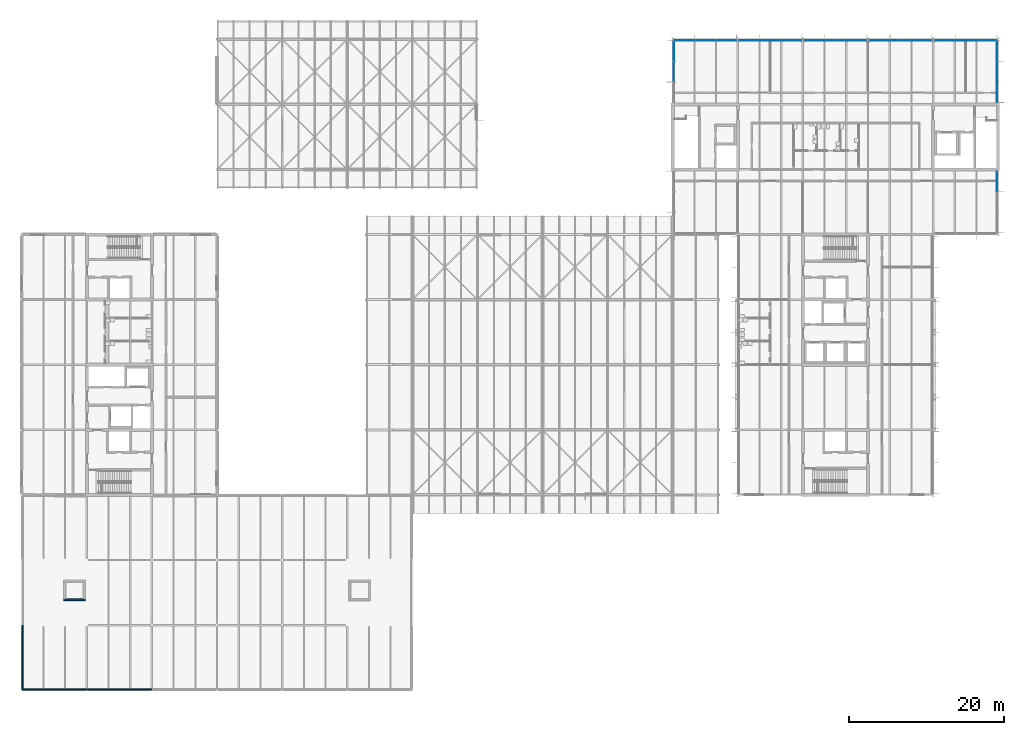
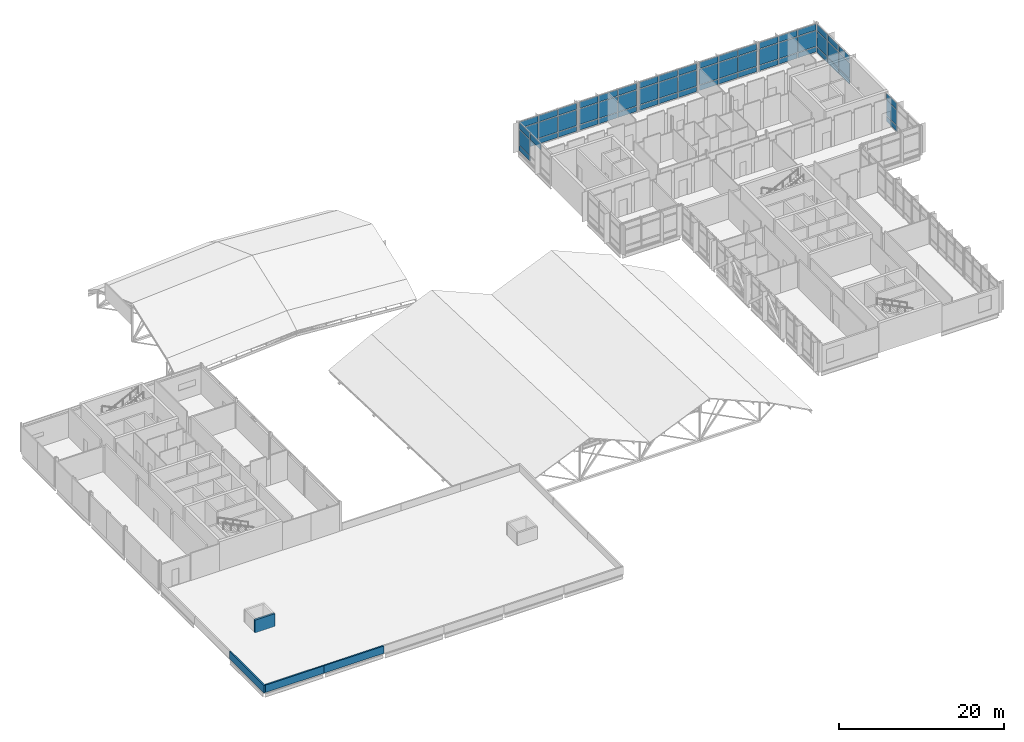
# One storey, part 30 of 76: 61 plates, 4 walls, 8 elements without a shape of their own.
"""IFC4 building model written with IfcOpenShell, lengths in metres."""

from ifc_helpers import new_model, si_unit, direction, frame, frame_2d, origin, origin_2d, place, context, subcontext, project, spatial, rectangle, extrude, material, layer, layer_set, type_object, element, aggregate, save


model = new_model("IFC4")

# Units and contexts
model_context = context("Model", 3, precision=1e-05, world=origin(), true_north=direction((0.0, 1.0)))
body_context = subcontext(model_context, "Body", "Model", "MODEL_VIEW")
ifc_project = project(units=[si_unit("LENGTHUNIT", "METRE"), si_unit("AREAUNIT", "SQUARE_METRE"), si_unit("VOLUMEUNIT", "CUBIC_METRE"), si_unit("PLANEANGLEUNIT", "RADIAN"), si_unit("MASSUNIT", "GRAM", prefix="KILO")], contexts=[model_context])

# Site, building, storey
site_placement = place(None, origin())
site = spatial("IfcSite", under=ifc_project, at=site_placement, CompositionType="ELEMENT")
building_placement = place(site_placement, origin())
building = spatial("IfcBuilding", under=site, at=building_placement, Name="Hlaing Beacon Police Headquarters", CompositionType="ELEMENT")
storey_placement = place(building_placement, frame((0.0, 0.0, 18.89990234375)))
storey = spatial("IfcBuildingStorey", under=building, at=storey_placement, Name="L04", CompositionType="ELEMENT", Elevation=18.89990234375)

# Curtain wall, plates
ifc_material_1 = material(Name="Aluminium frame with solar control glazing", Category="aluminium")
curtain_wall_type_1 = type_object("IfcCurtainWallType", Name="Structural glazed gable wall 8.12 x 4.37", PredefinedType="NOTDEFINED", material=ifc_material_1)
curtain_wall_1_placement = place(storey_placement, origin())
curtain_wall_1 = element("IfcCurtainWall", 1, at=curtain_wall_1_placement, inside=storey, type_object=curtain_wall_type_1, Name="ENV-CW-L04-N011", PredefinedType="NOTDEFINED")
ifc_material_2 = material(Name="Insulated aluminium spandrel", Category="aluminium")
ifc_layer_1 = layer(ifc_material_2, 0.0400390625)
ifc_layer_set_1 = layer_set([ifc_layer_1], Name="Insulated aluminium spandrel")
plate_type_1 = type_object("IfcPlateType", Name="Insulated spandrel panel 40", PredefinedType="CURTAIN_PANEL", material=ifc_layer_set_1)
plate_1_placement = place(storey_placement, frame((132.87646484375, 92.25, 0.10009765625), z_axis=(0.0, 0.0, 1.0), x_axis=(-1.0, 0.0, 0.0)))
plate_1 = element("IfcPlate", 2, at=plate_1_placement, type_object=plate_type_1, Name="CW-L04-N011 panel 1.1", PredefinedType="CURTAIN_PANEL", context=body_context, shape_type="SweptSolid", body=[
    extrude(rectangle(XDim=2.587158203125, YDim=0.0400390625, at=origin_2d()), origin(), (0.0, 0.0, 1.0), 0.75),
])
plate_2_placement = place(storey_placement, frame((130.189208984375, 92.25, 0.10009765625), z_axis=(0.0, 0.0, 1.0), x_axis=(-1.0, 0.0, 0.0)))
plate_2 = element("IfcPlate", 3, at=plate_2_placement, type_object=plate_type_1, Name="CW-L04-N011 panel 2.1", PredefinedType="CURTAIN_PANEL", context=body_context, shape_type="SweptSolid", body=[
    extrude(rectangle(XDim=2.627197265625, YDim=0.0400390625, at=origin_2d()), origin(), (0.0, 0.0, 1.0), 0.75),
])
plate_3_placement = place(storey_placement, frame((127.501953125, 92.25, 0.10009765625), z_axis=(0.0, 0.0, 1.0), x_axis=(-1.0, 0.0, 0.0)))
plate_3 = element("IfcPlate", 4, at=plate_3_placement, type_object=plate_type_1, Name="CW-L04-N011 panel 3.1", PredefinedType="CURTAIN_PANEL", context=body_context, shape_type="SweptSolid", body=[
    extrude(rectangle(XDim=2.587158203125, YDim=0.0400390625, at=origin_2d()), origin(), (0.0, 0.0, 1.0), 0.75),
])

ifc_material_3 = material(Name="Aluminium frame with solar control glazing", Category="aluminium")
curtain_wall_type_2 = type_object("IfcCurtainWallType", Name="Structural glazed gable wall 8.14 x 4.37", PredefinedType="NOTDEFINED", material=ifc_material_3)
curtain_wall_2_placement = place(storey_placement, origin())
curtain_wall_2 = element("IfcCurtainWall", 5, at=curtain_wall_2_placement, inside=storey, type_object=curtain_wall_type_2, Name="ENV-CW-L04-N012", PredefinedType="NOTDEFINED")
plate_4_placement = place(storey_placement, frame((124.494384765625, 92.25, 0.10009765625), z_axis=(0.0, 0.0, 1.0), x_axis=(-1.0, 0.0, 0.0)))
plate_4 = element("IfcPlate", 6, at=plate_4_placement, type_object=plate_type_1, Name="CW-L04-N012 panel 1.1", PredefinedType="CURTAIN_PANEL", context=body_context, shape_type="SweptSolid", body=[
    extrude(rectangle(XDim=2.594482421875, YDim=0.0400390625, at=origin_2d()), origin(), (0.0, 0.0, 1.0), 0.75),
])
plate_5_placement = place(storey_placement, frame((121.800048828125, 92.25, 0.10009765625), z_axis=(0.0, 0.0, 1.0), x_axis=(-1.0, 0.0, 0.0)))
plate_5 = element("IfcPlate", 7, at=plate_5_placement, type_object=plate_type_1, Name="CW-L04-N012 panel 2.1", PredefinedType="CURTAIN_PANEL", context=body_context, shape_type="SweptSolid", body=[
    extrude(rectangle(XDim=2.634521484375, YDim=0.0400390625, at=origin_2d()), origin(), (0.0, 0.0, 1.0), 0.75),
])
plate_6_placement = place(storey_placement, frame((119.10546875, 92.25, 0.10009765625), z_axis=(0.0, 0.0, 1.0), x_axis=(-1.0, 0.0, 0.0)))
plate_6 = element("IfcPlate", 8, at=plate_6_placement, type_object=plate_type_1, Name="CW-L04-N012 panel 3.1", PredefinedType="CURTAIN_PANEL", context=body_context, shape_type="SweptSolid", body=[
    extrude(rectangle(XDim=2.594482421875, YDim=0.0400390625, at=origin_2d()), origin(), (0.0, 0.0, 1.0), 0.75),
])

curtain_wall_3_placement = place(storey_placement, origin())
curtain_wall_3 = element("IfcCurtainWall", 9, at=curtain_wall_3_placement, inside=storey, type_object=curtain_wall_type_2, Name="ENV-CW-L04-N013", PredefinedType="NOTDEFINED")
plate_7_placement = place(storey_placement, frame((116.094482421875, 92.25, 0.10009765625), z_axis=(0.0, 0.0, 1.0), x_axis=(-1.0, 0.0, 0.0)))
plate_7 = element("IfcPlate", 10, at=plate_7_placement, type_object=plate_type_1, Name="CW-L04-N013 panel 1.1", PredefinedType="CURTAIN_PANEL", context=body_context, shape_type="SweptSolid", body=[
    extrude(rectangle(XDim=2.594482421875, YDim=0.0400390625, at=origin_2d()), origin(), (0.0, 0.0, 1.0), 0.75),
])
plate_8_placement = place(storey_placement, frame((113.39990234375, 92.25, 0.10009765625), z_axis=(0.0, 0.0, 1.0), x_axis=(-1.0, 0.0, 0.0)))
plate_8 = element("IfcPlate", 11, at=plate_8_placement, type_object=plate_type_1, Name="CW-L04-N013 panel 2.1", PredefinedType="CURTAIN_PANEL", context=body_context, shape_type="SweptSolid", body=[
    extrude(rectangle(XDim=2.634521484375, YDim=0.0400390625, at=origin_2d()), origin(), (0.0, 0.0, 1.0), 0.75),
])
plate_9_placement = place(storey_placement, frame((110.70556640625, 92.25, 0.10009765625), z_axis=(0.0, 0.0, 1.0), x_axis=(-1.0, 0.0, 0.0)))
plate_9 = element("IfcPlate", 12, at=plate_9_placement, type_object=plate_type_1, Name="CW-L04-N013 panel 3.1", PredefinedType="CURTAIN_PANEL", context=body_context, shape_type="SweptSolid", body=[
    extrude(rectangle(XDim=2.594482421875, YDim=0.0400390625, at=origin_2d()), origin(), (0.0, 0.0, 1.0), 0.75),
])

curtain_wall_4_placement = place(storey_placement, origin())
curtain_wall_4 = element("IfcCurtainWall", 13, at=curtain_wall_4_placement, inside=storey, type_object=curtain_wall_type_2, Name="ENV-CW-L04-N014", PredefinedType="NOTDEFINED")
plate_10_placement = place(storey_placement, frame((107.6943359375, 92.25, 0.10009765625), z_axis=(0.0, 0.0, 1.0), x_axis=(-1.0, 0.0, 0.0)))
plate_10 = element("IfcPlate", 14, at=plate_10_placement, type_object=plate_type_1, Name="CW-L04-N014 panel 1.1", PredefinedType="CURTAIN_PANEL", context=body_context, shape_type="SweptSolid", body=[
    extrude(rectangle(XDim=2.594970703125, YDim=0.0400390625, at=origin_2d()), origin(), (0.0, 0.0, 1.0), 0.75),
])
plate_11_placement = place(storey_placement, frame((104.999267578125, 92.25, 0.10009765625), z_axis=(0.0, 0.0, 1.0), x_axis=(-1.0, 0.0, 0.0)))
plate_11 = element("IfcPlate", 15, at=plate_11_placement, type_object=plate_type_1, Name="CW-L04-N014 panel 2.1", PredefinedType="CURTAIN_PANEL", context=body_context, shape_type="SweptSolid", body=[
    extrude(rectangle(XDim=2.635009765625, YDim=0.0400390625, at=origin_2d()), origin(), (0.0, 0.0, 1.0), 0.75),
])
plate_12_placement = place(storey_placement, frame((102.304443359375, 92.25, 0.10009765625), z_axis=(0.0, 0.0, 1.0), x_axis=(-1.0, 0.0, 0.0)))
plate_12 = element("IfcPlate", 16, at=plate_12_placement, type_object=plate_type_1, Name="CW-L04-N014 panel 3.1", PredefinedType="CURTAIN_PANEL", context=body_context, shape_type="SweptSolid", body=[
    extrude(rectangle(XDim=2.594970703125, YDim=0.0400390625, at=origin_2d()), origin(), (0.0, 0.0, 1.0), 0.75),
])

ifc_material_4 = material(Name="Aluminium frame with solar control glazing", Category="aluminium")
curtain_wall_type_3 = type_object("IfcCurtainWallType", Name="Structural glazed gable wall 8.15 x 4.37", PredefinedType="NOTDEFINED", material=ifc_material_4)
curtain_wall_5_placement = place(storey_placement, origin())
curtain_wall_5 = element("IfcCurtainWall", 17, at=curtain_wall_5_placement, inside=storey, type_object=curtain_wall_type_3, Name="ENV-CW-L04-N015", PredefinedType="NOTDEFINED")
plate_13_placement = place(storey_placement, frame((99.29541015625, 92.25, 0.10009765625), z_axis=(0.0, 0.0, 1.0), x_axis=(-1.0, 0.0, 0.0)))
plate_13 = element("IfcPlate", 18, at=plate_13_placement, type_object=plate_type_1, Name="CW-L04-N015 panel 1.1", PredefinedType="CURTAIN_PANEL", context=body_context, shape_type="SweptSolid", body=[
    extrude(rectangle(XDim=2.59521484375, YDim=0.0400390625, at=origin_2d()), origin(), (0.0, 0.0, 1.0), 0.75),
])
plate_14_placement = place(storey_placement, frame((96.60009765625, 92.25, 0.10009765625), z_axis=(0.0, 0.0, 1.0), x_axis=(-1.0, 0.0, 0.0)))
plate_14 = element("IfcPlate", 19, at=plate_14_placement, type_object=plate_type_1, Name="CW-L04-N015 panel 2.1", PredefinedType="CURTAIN_PANEL", context=body_context, shape_type="SweptSolid", body=[
    extrude(rectangle(XDim=2.63525390625, YDim=0.0400390625, at=origin_2d()), origin(), (0.0, 0.0, 1.0), 0.75),
])
plate_15_placement = place(storey_placement, frame((93.90478515625, 92.25, 0.10009765625), z_axis=(0.0, 0.0, 1.0), x_axis=(-1.0, 0.0, 0.0)))
plate_15 = element("IfcPlate", 20, at=plate_15_placement, type_object=plate_type_1, Name="CW-L04-N015 panel 3.1", PredefinedType="CURTAIN_PANEL", context=body_context, shape_type="SweptSolid", body=[
    extrude(rectangle(XDim=2.59521484375, YDim=0.0400390625, at=origin_2d()), origin(), (0.0, 0.0, 1.0), 0.75),
])

# Curtain wall, plate
ifc_material_5 = material(Name="Aluminium frame with solar control glazing", Category="aluminium")
curtain_wall_type_4 = type_object("IfcCurtainWallType", Name="Structural glazed gable wall 8.02 x 4.37", PredefinedType="NOTDEFINED", material=ifc_material_5)
curtain_wall_6_placement = place(storey_placement, origin())
curtain_wall_6 = element("IfcCurtainWall", 21, at=curtain_wall_6_placement, inside=storey, type_object=curtain_wall_type_4, Name="ENV-CW-L04-E009", PredefinedType="NOTDEFINED")
ifc_material_6 = material(Name="Insulated aluminium spandrel", Category="aluminium")
ifc_layer_2 = layer(ifc_material_6, 0.06005859375)
ifc_layer_set_2 = layer_set([ifc_layer_2], Name="Insulated aluminium spandrel")
plate_type_2 = type_object("IfcPlateType", Name="Insulated spandrel panel 60", PredefinedType="CURTAIN_PANEL", material=ifc_layer_set_2)
plate_16_placement = place(storey_placement, frame((134.25, 74.042724609375, 0.10009765625), z_axis=(0.0, 0.0, 1.0), x_axis=(0.0, 1.0, 0.0)))
plate_16 = element("IfcPlate", 22, at=plate_16_placement, type_object=plate_type_2, Name="CW-L04-E009 panel 3.1", PredefinedType="CURTAIN_PANEL", context=body_context, shape_type="SweptSolid", body=[
    extrude(rectangle(XDim=2.554443359375, YDim=0.06005859375, at=origin_2d()), origin(), (0.0, 0.0, 1.0), 0.75),
])

# Curtain wall, plates
curtain_wall_7_placement = place(storey_placement, origin())
curtain_wall_7 = element("IfcCurtainWall", 23, at=curtain_wall_7_placement, inside=storey, type_object=curtain_wall_type_4, Name="ENV-CW-L04-E010", PredefinedType="NOTDEFINED")
plate_17_placement = place(storey_placement, frame((134.25, 85.55712890625, 0.10009765625), z_axis=(0.0, 0.0, 1.0), x_axis=(0.0, 1.0, 0.0)))
plate_17 = element("IfcPlate", 24, at=plate_17_placement, type_object=plate_type_2, Name="CW-L04-E010 panel 1.1", PredefinedType="CURTAIN_PANEL", context=body_context, shape_type="SweptSolid", body=[
    extrude(rectangle(XDim=2.554443359375, YDim=0.06005859375, at=origin_2d()), origin(), (0.0, 0.0, 1.0), 0.75),
])
plate_18_placement = place(storey_placement, frame((134.25, 88.211669921875, 0.10009765625), z_axis=(0.0, 0.0, 1.0), x_axis=(0.0, 1.0, 0.0)))
plate_18 = element("IfcPlate", 25, at=plate_18_placement, type_object=plate_type_2, Name="CW-L04-E010 panel 2.1", PredefinedType="CURTAIN_PANEL", context=body_context, shape_type="SweptSolid", body=[
    extrude(rectangle(XDim=2.594482421875, YDim=0.06005859375, at=origin_2d()), origin(), (0.0, 0.0, 1.0), 0.75),
])
plate_19_placement = place(storey_placement, frame((134.25, 90.8662109375, 0.10009765625), z_axis=(0.0, 0.0, 1.0), x_axis=(0.0, 1.0, 0.0)))
plate_19 = element("IfcPlate", 26, at=plate_19_placement, type_object=plate_type_2, Name="CW-L04-E010 panel 3.1", PredefinedType="CURTAIN_PANEL", context=body_context, shape_type="SweptSolid", body=[
    extrude(rectangle(XDim=2.554443359375, YDim=0.06005859375, at=origin_2d()), origin(), (0.0, 0.0, 1.0), 0.75),
])

# Curtain wall, plate
curtain_wall_8_placement = place(storey_placement, origin())
curtain_wall_8 = element("IfcCurtainWall", 27, at=curtain_wall_8_placement, inside=storey, type_object=curtain_wall_type_4, Name="ENV-CW-L04-W016", PredefinedType="NOTDEFINED")
ifc_material_7 = material(Name="Insulated aluminium spandrel", Category="aluminium")
ifc_layer_3 = layer(ifc_material_7, 0.080078125)
ifc_layer_set_3 = layer_set([ifc_layer_3], Name="Insulated aluminium spandrel")
plate_type_3 = type_object("IfcPlateType", Name="Insulated spandrel panel 80", PredefinedType="CURTAIN_PANEL", material=ifc_layer_set_3)
plate_20_placement = place(storey_placement, frame((92.550048828125, 90.8662109375, 0.10009765625), z_axis=(0.0, 0.0, 1.0), x_axis=(0.0, -1.0, 0.0)))
plate_20 = element("IfcPlate", 28, at=plate_20_placement, type_object=plate_type_3, Name="CW-L04-W016 panel 1.1", PredefinedType="CURTAIN_PANEL", context=body_context, shape_type="SweptSolid", body=[
    extrude(rectangle(XDim=2.554443359375, YDim=0.080078125, at=origin_2d()), origin(), (0.0, 0.0, 1.0), 0.75),
])

# Plate
ifc_material_8 = material(Name="Laminated solar control glazing", Category="glass")
ifc_layer_4 = layer(ifc_material_8, 0.031982421875)
ifc_layer_set_4 = layer_set([ifc_layer_4], Name="Laminated solar control glazing")
plate_type_4 = type_object("IfcPlateType", Name="Laminated glazing panel 32", PredefinedType="CURTAIN_PANEL", material=ifc_layer_set_4)
plate_21_placement = place(storey_placement, frame((134.25, 74.042724609375, 3.35009765625), z_axis=(0.0, 0.0, 1.0), x_axis=(0.0, 1.0, 0.0)))
plate_21 = element("IfcPlate", 29, at=plate_21_placement, type_object=plate_type_4, Name="CW-L04-E009 panel 3.3", PredefinedType="CURTAIN_PANEL", context=body_context, shape_type="SweptSolid", body=[
    extrude(rectangle(XDim=2.554443359375, YDim=0.031982421875, at=origin_2d()), origin(), (0.0, 0.0, 1.0), 0.919921875),
])

plate_22_placement = place(storey_placement, frame((134.25, 85.55712890625, 3.35009765625), z_axis=(0.0, 0.0, 1.0), x_axis=(0.0, 1.0, 0.0)))
plate_22 = element("IfcPlate", 30, at=plate_22_placement, type_object=plate_type_4, Name="CW-L04-E010 panel 1.3", PredefinedType="CURTAIN_PANEL", context=body_context, shape_type="SweptSolid", body=[
    extrude(rectangle(XDim=2.554443359375, YDim=0.031982421875, at=origin_2d()), origin(), (0.0, 0.0, 1.0), 0.919921875),
])

plate_23_placement = place(storey_placement, frame((134.25, 88.211669921875, 3.35009765625), z_axis=(0.0, 0.0, 1.0), x_axis=(0.0, 1.0, 0.0)))
plate_23 = element("IfcPlate", 31, at=plate_23_placement, type_object=plate_type_4, Name="CW-L04-E010 panel 2.3", PredefinedType="CURTAIN_PANEL", context=body_context, shape_type="SweptSolid", body=[
    extrude(rectangle(XDim=2.594482421875, YDim=0.031982421875, at=origin_2d()), origin(), (0.0, 0.0, 1.0), 0.919921875),
])

plate_24_placement = place(storey_placement, frame((134.25, 90.8662109375, 3.35009765625), z_axis=(0.0, 0.0, 1.0), x_axis=(0.0, 1.0, 0.0)))
plate_24 = element("IfcPlate", 32, at=plate_24_placement, type_object=plate_type_4, Name="CW-L04-E010 panel 3.3", PredefinedType="CURTAIN_PANEL", context=body_context, shape_type="SweptSolid", body=[
    extrude(rectangle(XDim=2.554443359375, YDim=0.031982421875, at=origin_2d()), origin(), (0.0, 0.0, 1.0), 0.919921875),
])

plate_25_placement = place(storey_placement, frame((132.87646484375, 92.25, 3.35009765625), z_axis=(0.0, 0.0, 1.0), x_axis=(-1.0, 0.0, 0.0)))
plate_25 = element("IfcPlate", 33, at=plate_25_placement, type_object=plate_type_4, Name="CW-L04-N011 panel 1.3", PredefinedType="CURTAIN_PANEL", context=body_context, shape_type="SweptSolid", body=[
    extrude(rectangle(XDim=2.587158203125, YDim=0.031982421875, at=origin_2d()), origin(), (0.0, 0.0, 1.0), 0.919921875),
])

plate_26_placement = place(storey_placement, frame((130.189208984375, 92.25, 3.35009765625), z_axis=(0.0, 0.0, 1.0), x_axis=(-1.0, 0.0, 0.0)))
plate_26 = element("IfcPlate", 34, at=plate_26_placement, type_object=plate_type_4, Name="CW-L04-N011 panel 2.3", PredefinedType="CURTAIN_PANEL", context=body_context, shape_type="SweptSolid", body=[
    extrude(rectangle(XDim=2.627197265625, YDim=0.031982421875, at=origin_2d()), origin(), (0.0, 0.0, 1.0), 0.919921875),
])

plate_27_placement = place(storey_placement, frame((127.501953125, 92.25, 3.35009765625), z_axis=(0.0, 0.0, 1.0), x_axis=(-1.0, 0.0, 0.0)))
plate_27 = element("IfcPlate", 35, at=plate_27_placement, type_object=plate_type_4, Name="CW-L04-N011 panel 3.3", PredefinedType="CURTAIN_PANEL", context=body_context, shape_type="SweptSolid", body=[
    extrude(rectangle(XDim=2.587158203125, YDim=0.031982421875, at=origin_2d()), origin(), (0.0, 0.0, 1.0), 0.919921875),
])

plate_28_placement = place(storey_placement, frame((124.494384765625, 92.25, 3.35009765625), z_axis=(0.0, 0.0, 1.0), x_axis=(-1.0, 0.0, 0.0)))
plate_28 = element("IfcPlate", 36, at=plate_28_placement, type_object=plate_type_4, Name="CW-L04-N012 panel 1.3", PredefinedType="CURTAIN_PANEL", context=body_context, shape_type="SweptSolid", body=[
    extrude(rectangle(XDim=2.594482421875, YDim=0.031982421875, at=origin_2d()), origin(), (0.0, 0.0, 1.0), 0.919921875),
])

plate_29_placement = place(storey_placement, frame((121.800048828125, 92.25, 3.35009765625), z_axis=(0.0, 0.0, 1.0), x_axis=(-1.0, 0.0, 0.0)))
plate_29 = element("IfcPlate", 37, at=plate_29_placement, type_object=plate_type_4, Name="CW-L04-N012 panel 2.3", PredefinedType="CURTAIN_PANEL", context=body_context, shape_type="SweptSolid", body=[
    extrude(rectangle(XDim=2.634521484375, YDim=0.031982421875, at=origin_2d()), origin(), (0.0, 0.0, 1.0), 0.919921875),
])

plate_30_placement = place(storey_placement, frame((119.10546875, 92.25, 3.35009765625), z_axis=(0.0, 0.0, 1.0), x_axis=(-1.0, 0.0, 0.0)))
plate_30 = element("IfcPlate", 38, at=plate_30_placement, type_object=plate_type_4, Name="CW-L04-N012 panel 3.3", PredefinedType="CURTAIN_PANEL", context=body_context, shape_type="SweptSolid", body=[
    extrude(rectangle(XDim=2.594482421875, YDim=0.031982421875, at=origin_2d()), origin(), (0.0, 0.0, 1.0), 0.919921875),
])

plate_31_placement = place(storey_placement, frame((116.094482421875, 92.25, 3.35009765625), z_axis=(0.0, 0.0, 1.0), x_axis=(-1.0, 0.0, 0.0)))
plate_31 = element("IfcPlate", 39, at=plate_31_placement, type_object=plate_type_4, Name="CW-L04-N013 panel 1.3", PredefinedType="CURTAIN_PANEL", context=body_context, shape_type="SweptSolid", body=[
    extrude(rectangle(XDim=2.594482421875, YDim=0.031982421875, at=origin_2d()), origin(), (0.0, 0.0, 1.0), 0.919921875),
])

plate_32_placement = place(storey_placement, frame((113.39990234375, 92.25, 3.35009765625), z_axis=(0.0, 0.0, 1.0), x_axis=(-1.0, 0.0, 0.0)))
plate_32 = element("IfcPlate", 40, at=plate_32_placement, type_object=plate_type_4, Name="CW-L04-N013 panel 2.3", PredefinedType="CURTAIN_PANEL", context=body_context, shape_type="SweptSolid", body=[
    extrude(rectangle(XDim=2.634521484375, YDim=0.031982421875, at=origin_2d()), origin(), (0.0, 0.0, 1.0), 0.919921875),
])

plate_33_placement = place(storey_placement, frame((110.70556640625, 92.25, 3.35009765625), z_axis=(0.0, 0.0, 1.0), x_axis=(-1.0, 0.0, 0.0)))
plate_33 = element("IfcPlate", 41, at=plate_33_placement, type_object=plate_type_4, Name="CW-L04-N013 panel 3.3", PredefinedType="CURTAIN_PANEL", context=body_context, shape_type="SweptSolid", body=[
    extrude(rectangle(XDim=2.594482421875, YDim=0.031982421875, at=origin_2d()), origin(), (0.0, 0.0, 1.0), 0.919921875),
])

plate_34_placement = place(storey_placement, frame((107.6943359375, 92.25, 3.35009765625), z_axis=(0.0, 0.0, 1.0), x_axis=(-1.0, 0.0, 0.0)))
plate_34 = element("IfcPlate", 42, at=plate_34_placement, type_object=plate_type_4, Name="CW-L04-N014 panel 1.3", PredefinedType="CURTAIN_PANEL", context=body_context, shape_type="SweptSolid", body=[
    extrude(rectangle(XDim=2.594970703125, YDim=0.031982421875, at=origin_2d()), origin(), (0.0, 0.0, 1.0), 0.919921875),
])

plate_35_placement = place(storey_placement, frame((104.999267578125, 92.25, 3.35009765625), z_axis=(0.0, 0.0, 1.0), x_axis=(-1.0, 0.0, 0.0)))
plate_35 = element("IfcPlate", 43, at=plate_35_placement, type_object=plate_type_4, Name="CW-L04-N014 panel 2.3", PredefinedType="CURTAIN_PANEL", context=body_context, shape_type="SweptSolid", body=[
    extrude(rectangle(XDim=2.635009765625, YDim=0.031982421875, at=origin_2d()), origin(), (0.0, 0.0, 1.0), 0.919921875),
])

plate_36_placement = place(storey_placement, frame((102.304443359375, 92.25, 3.35009765625), z_axis=(0.0, 0.0, 1.0), x_axis=(-1.0, 0.0, 0.0)))
plate_36 = element("IfcPlate", 44, at=plate_36_placement, type_object=plate_type_4, Name="CW-L04-N014 panel 3.3", PredefinedType="CURTAIN_PANEL", context=body_context, shape_type="SweptSolid", body=[
    extrude(rectangle(XDim=2.594970703125, YDim=0.031982421875, at=origin_2d()), origin(), (0.0, 0.0, 1.0), 0.919921875),
])

plate_37_placement = place(storey_placement, frame((99.29541015625, 92.25, 3.35009765625), z_axis=(0.0, 0.0, 1.0), x_axis=(-1.0, 0.0, 0.0)))
plate_37 = element("IfcPlate", 45, at=plate_37_placement, type_object=plate_type_4, Name="CW-L04-N015 panel 1.3", PredefinedType="CURTAIN_PANEL", context=body_context, shape_type="SweptSolid", body=[
    extrude(rectangle(XDim=2.59521484375, YDim=0.031982421875, at=origin_2d()), origin(), (0.0, 0.0, 1.0), 0.919921875),
])

plate_38_placement = place(storey_placement, frame((96.60009765625, 92.25, 3.35009765625), z_axis=(0.0, 0.0, 1.0), x_axis=(-1.0, 0.0, 0.0)))
plate_38 = element("IfcPlate", 46, at=plate_38_placement, type_object=plate_type_4, Name="CW-L04-N015 panel 2.3", PredefinedType="CURTAIN_PANEL", context=body_context, shape_type="SweptSolid", body=[
    extrude(rectangle(XDim=2.63525390625, YDim=0.031982421875, at=origin_2d()), origin(), (0.0, 0.0, 1.0), 0.919921875),
])

plate_39_placement = place(storey_placement, frame((93.90478515625, 92.25, 3.35009765625), z_axis=(0.0, 0.0, 1.0), x_axis=(-1.0, 0.0, 0.0)))
plate_39 = element("IfcPlate", 47, at=plate_39_placement, type_object=plate_type_4, Name="CW-L04-N015 panel 3.3", PredefinedType="CURTAIN_PANEL", context=body_context, shape_type="SweptSolid", body=[
    extrude(rectangle(XDim=2.59521484375, YDim=0.031982421875, at=origin_2d()), origin(), (0.0, 0.0, 1.0), 0.919921875),
])

plate_40_placement = place(storey_placement, frame((92.550048828125, 90.8662109375, 3.35009765625), z_axis=(0.0, 0.0, 1.0), x_axis=(0.0, -1.0, 0.0)))
plate_40 = element("IfcPlate", 48, at=plate_40_placement, type_object=plate_type_4, Name="CW-L04-W016 panel 1.3", PredefinedType="CURTAIN_PANEL", context=body_context, shape_type="SweptSolid", body=[
    extrude(rectangle(XDim=2.554443359375, YDim=0.031982421875, at=origin_2d()), origin(), (0.0, 0.0, 1.0), 0.919921875),
])

plate_41_placement = place(storey_placement, frame((92.550048828125, 88.211669921875, 3.35009765625), z_axis=(0.0, 0.0, 1.0), x_axis=(0.0, -1.0, 0.0)))
plate_41 = element("IfcPlate", 49, at=plate_41_placement, type_object=plate_type_4, Name="CW-L04-W016 panel 2.3", PredefinedType="CURTAIN_PANEL", context=body_context, shape_type="SweptSolid", body=[
    extrude(rectangle(XDim=2.594482421875, YDim=0.031982421875, at=origin_2d()), origin(), (0.0, 0.0, 1.0), 0.919921875),
])

ifc_material_9 = material(Name="Laminated solar control glazing", Category="glass")
ifc_layer_5 = layer(ifc_material_9, 0.0439453125)
ifc_layer_set_5 = layer_set([ifc_layer_5], Name="Laminated solar control glazing")
plate_type_5 = type_object("IfcPlateType", Name="Laminated glazing panel 44", PredefinedType="CURTAIN_PANEL", material=ifc_layer_set_5)
plate_42_placement = place(storey_placement, frame((134.25, 74.042724609375, 0.9501953125), z_axis=(0.0, 0.0, 1.0), x_axis=(0.0, 1.0, 0.0)))
plate_42 = element("IfcPlate", 50, at=plate_42_placement, type_object=plate_type_5, Name="CW-L04-E009 panel 3.2", PredefinedType="CURTAIN_PANEL", context=body_context, shape_type="SweptSolid", body=[
    extrude(rectangle(XDim=2.554443359375, YDim=0.0439453125, at=origin_2d()), origin(), (0.0, 0.0, 1.0), 2.300048828125),
])

aggregate(curtain_wall_6, [plate_16, plate_42, plate_21])

plate_43_placement = place(storey_placement, frame((134.25, 85.55712890625, 0.9501953125), z_axis=(0.0, 0.0, 1.0), x_axis=(0.0, 1.0, 0.0)))
plate_43 = element("IfcPlate", 51, at=plate_43_placement, type_object=plate_type_5, Name="CW-L04-E010 panel 1.2", PredefinedType="CURTAIN_PANEL", context=body_context, shape_type="SweptSolid", body=[
    extrude(rectangle(XDim=2.554443359375, YDim=0.0439453125, at=origin_2d()), origin(), (0.0, 0.0, 1.0), 2.300048828125),
])

plate_44_placement = place(storey_placement, frame((134.25, 88.211669921875, 0.9501953125), z_axis=(0.0, 0.0, 1.0), x_axis=(0.0, 1.0, 0.0)))
plate_44 = element("IfcPlate", 52, at=plate_44_placement, type_object=plate_type_5, Name="CW-L04-E010 panel 2.2", PredefinedType="CURTAIN_PANEL", context=body_context, shape_type="SweptSolid", body=[
    extrude(rectangle(XDim=2.594482421875, YDim=0.0439453125, at=origin_2d()), origin(), (0.0, 0.0, 1.0), 2.300048828125),
])

plate_45_placement = place(storey_placement, frame((134.25, 90.8662109375, 0.9501953125), z_axis=(0.0, 0.0, 1.0), x_axis=(0.0, 1.0, 0.0)))
plate_45 = element("IfcPlate", 53, at=plate_45_placement, type_object=plate_type_5, Name="CW-L04-E010 panel 3.2", PredefinedType="CURTAIN_PANEL", context=body_context, shape_type="SweptSolid", body=[
    extrude(rectangle(XDim=2.554443359375, YDim=0.0439453125, at=origin_2d()), origin(), (0.0, 0.0, 1.0), 2.300048828125),
])

aggregate(curtain_wall_7, [plate_17, plate_43, plate_22, plate_18, plate_44, plate_23, plate_19, plate_45, plate_24])

plate_46_placement = place(storey_placement, frame((92.550048828125, 90.8662109375, 0.9501953125), z_axis=(0.0, 0.0, 1.0), x_axis=(0.0, -1.0, 0.0)))
plate_46 = element("IfcPlate", 54, at=plate_46_placement, type_object=plate_type_5, Name="CW-L04-W016 panel 1.2", PredefinedType="CURTAIN_PANEL", context=body_context, shape_type="SweptSolid", body=[
    extrude(rectangle(XDim=2.554443359375, YDim=0.0439453125, at=origin_2d()), origin(), (0.0, 0.0, 1.0), 2.300048828125),
])

aggregate(curtain_wall_8, [plate_20, plate_46, plate_40, plate_41])

ifc_material_10 = material(Name="Laminated solar control glazing", Category="glass")
ifc_layer_6 = layer(ifc_material_10, 0.06591796875)
ifc_layer_set_6 = layer_set([ifc_layer_6], Name="Laminated solar control glazing")
plate_type_6 = type_object("IfcPlateType", Name="Laminated glazing panel 66", PredefinedType="CURTAIN_PANEL", material=ifc_layer_set_6)
plate_47_placement = place(storey_placement, frame((132.87646484375, 92.25, 0.9501953125), z_axis=(0.0, 0.0, 1.0), x_axis=(-1.0, 0.0, 0.0)))
plate_47 = element("IfcPlate", 55, at=plate_47_placement, type_object=plate_type_6, Name="CW-L04-N011 panel 1.2", PredefinedType="CURTAIN_PANEL", context=body_context, shape_type="SweptSolid", body=[
    extrude(rectangle(XDim=2.587158203125, YDim=0.06591796875, at=origin_2d()), origin(), (0.0, 0.0, 1.0), 2.300048828125),
])

plate_48_placement = place(storey_placement, frame((130.189208984375, 92.25, 0.9501953125), z_axis=(0.0, 0.0, 1.0), x_axis=(-1.0, 0.0, 0.0)))
plate_48 = element("IfcPlate", 56, at=plate_48_placement, type_object=plate_type_6, Name="CW-L04-N011 panel 2.2", PredefinedType="CURTAIN_PANEL", context=body_context, shape_type="SweptSolid", body=[
    extrude(rectangle(XDim=2.627197265625, YDim=0.06591796875, at=origin_2d()), origin(), (0.0, 0.0, 1.0), 2.300048828125),
])

plate_49_placement = place(storey_placement, frame((127.501953125, 92.25, 0.9501953125), z_axis=(0.0, 0.0, 1.0), x_axis=(-1.0, 0.0, 0.0)))
plate_49 = element("IfcPlate", 57, at=plate_49_placement, type_object=plate_type_6, Name="CW-L04-N011 panel 3.2", PredefinedType="CURTAIN_PANEL", context=body_context, shape_type="SweptSolid", body=[
    extrude(rectangle(XDim=2.587158203125, YDim=0.06591796875, at=origin_2d()), origin(), (0.0, 0.0, 1.0), 2.300048828125),
])

aggregate(curtain_wall_1, [plate_1, plate_47, plate_25, plate_2, plate_48, plate_26, plate_3, plate_49, plate_27])

plate_50_placement = place(storey_placement, frame((124.494384765625, 92.25, 0.9501953125), z_axis=(0.0, 0.0, 1.0), x_axis=(-1.0, 0.0, 0.0)))
plate_50 = element("IfcPlate", 58, at=plate_50_placement, type_object=plate_type_6, Name="CW-L04-N012 panel 1.2", PredefinedType="CURTAIN_PANEL", context=body_context, shape_type="SweptSolid", body=[
    extrude(rectangle(XDim=2.594482421875, YDim=0.06591796875, at=origin_2d()), origin(), (0.0, 0.0, 1.0), 2.300048828125),
])

plate_51_placement = place(storey_placement, frame((121.800048828125, 92.25, 0.9501953125), z_axis=(0.0, 0.0, 1.0), x_axis=(-1.0, 0.0, 0.0)))
plate_51 = element("IfcPlate", 59, at=plate_51_placement, type_object=plate_type_6, Name="CW-L04-N012 panel 2.2", PredefinedType="CURTAIN_PANEL", context=body_context, shape_type="SweptSolid", body=[
    extrude(rectangle(XDim=2.634521484375, YDim=0.06591796875, at=origin_2d()), origin(), (0.0, 0.0, 1.0), 2.300048828125),
])

plate_52_placement = place(storey_placement, frame((119.10546875, 92.25, 0.9501953125), z_axis=(0.0, 0.0, 1.0), x_axis=(-1.0, 0.0, 0.0)))
plate_52 = element("IfcPlate", 60, at=plate_52_placement, type_object=plate_type_6, Name="CW-L04-N012 panel 3.2", PredefinedType="CURTAIN_PANEL", context=body_context, shape_type="SweptSolid", body=[
    extrude(rectangle(XDim=2.594482421875, YDim=0.06591796875, at=origin_2d()), origin(), (0.0, 0.0, 1.0), 2.300048828125),
])

aggregate(curtain_wall_2, [plate_4, plate_50, plate_28, plate_5, plate_51, plate_29, plate_6, plate_52, plate_30])

plate_53_placement = place(storey_placement, frame((116.094482421875, 92.25, 0.9501953125), z_axis=(0.0, 0.0, 1.0), x_axis=(-1.0, 0.0, 0.0)))
plate_53 = element("IfcPlate", 61, at=plate_53_placement, type_object=plate_type_6, Name="CW-L04-N013 panel 1.2", PredefinedType="CURTAIN_PANEL", context=body_context, shape_type="SweptSolid", body=[
    extrude(rectangle(XDim=2.594482421875, YDim=0.06591796875, at=origin_2d()), origin(), (0.0, 0.0, 1.0), 2.300048828125),
])

plate_54_placement = place(storey_placement, frame((113.39990234375, 92.25, 0.9501953125), z_axis=(0.0, 0.0, 1.0), x_axis=(-1.0, 0.0, 0.0)))
plate_54 = element("IfcPlate", 62, at=plate_54_placement, type_object=plate_type_6, Name="CW-L04-N013 panel 2.2", PredefinedType="CURTAIN_PANEL", context=body_context, shape_type="SweptSolid", body=[
    extrude(rectangle(XDim=2.634521484375, YDim=0.06591796875, at=origin_2d()), origin(), (0.0, 0.0, 1.0), 2.300048828125),
])

plate_55_placement = place(storey_placement, frame((110.70556640625, 92.25, 0.9501953125), z_axis=(0.0, 0.0, 1.0), x_axis=(-1.0, 0.0, 0.0)))
plate_55 = element("IfcPlate", 63, at=plate_55_placement, type_object=plate_type_6, Name="CW-L04-N013 panel 3.2", PredefinedType="CURTAIN_PANEL", context=body_context, shape_type="SweptSolid", body=[
    extrude(rectangle(XDim=2.594482421875, YDim=0.06591796875, at=origin_2d()), origin(), (0.0, 0.0, 1.0), 2.300048828125),
])

aggregate(curtain_wall_3, [plate_7, plate_53, plate_31, plate_8, plate_54, plate_32, plate_9, plate_55, plate_33])

plate_56_placement = place(storey_placement, frame((107.6943359375, 92.25, 0.9501953125), z_axis=(0.0, 0.0, 1.0), x_axis=(-1.0, 0.0, 0.0)))
plate_56 = element("IfcPlate", 64, at=plate_56_placement, type_object=plate_type_6, Name="CW-L04-N014 panel 1.2", PredefinedType="CURTAIN_PANEL", context=body_context, shape_type="SweptSolid", body=[
    extrude(rectangle(XDim=2.594970703125, YDim=0.06591796875, at=origin_2d()), origin(), (0.0, 0.0, 1.0), 2.300048828125),
])

plate_57_placement = place(storey_placement, frame((104.999267578125, 92.25, 0.9501953125), z_axis=(0.0, 0.0, 1.0), x_axis=(-1.0, 0.0, 0.0)))
plate_57 = element("IfcPlate", 65, at=plate_57_placement, type_object=plate_type_6, Name="CW-L04-N014 panel 2.2", PredefinedType="CURTAIN_PANEL", context=body_context, shape_type="SweptSolid", body=[
    extrude(rectangle(XDim=2.635009765625, YDim=0.06591796875, at=origin_2d()), origin(), (0.0, 0.0, 1.0), 2.300048828125),
])

plate_58_placement = place(storey_placement, frame((102.304443359375, 92.25, 0.9501953125), z_axis=(0.0, 0.0, 1.0), x_axis=(-1.0, 0.0, 0.0)))
plate_58 = element("IfcPlate", 66, at=plate_58_placement, type_object=plate_type_6, Name="CW-L04-N014 panel 3.2", PredefinedType="CURTAIN_PANEL", context=body_context, shape_type="SweptSolid", body=[
    extrude(rectangle(XDim=2.594970703125, YDim=0.06591796875, at=origin_2d()), origin(), (0.0, 0.0, 1.0), 2.300048828125),
])

aggregate(curtain_wall_4, [plate_10, plate_56, plate_34, plate_11, plate_57, plate_35, plate_12, plate_58, plate_36])

plate_59_placement = place(storey_placement, frame((99.29541015625, 92.25, 0.9501953125), z_axis=(0.0, 0.0, 1.0), x_axis=(-1.0, 0.0, 0.0)))
plate_59 = element("IfcPlate", 67, at=plate_59_placement, type_object=plate_type_6, Name="CW-L04-N015 panel 1.2", PredefinedType="CURTAIN_PANEL", context=body_context, shape_type="SweptSolid", body=[
    extrude(rectangle(XDim=2.59521484375, YDim=0.06591796875, at=origin_2d()), origin(), (0.0, 0.0, 1.0), 2.300048828125),
])

plate_60_placement = place(storey_placement, frame((96.60009765625, 92.25, 0.9501953125), z_axis=(0.0, 0.0, 1.0), x_axis=(-1.0, 0.0, 0.0)))
plate_60 = element("IfcPlate", 68, at=plate_60_placement, type_object=plate_type_6, Name="CW-L04-N015 panel 2.2", PredefinedType="CURTAIN_PANEL", context=body_context, shape_type="SweptSolid", body=[
    extrude(rectangle(XDim=2.63525390625, YDim=0.06591796875, at=origin_2d()), origin(), (0.0, 0.0, 1.0), 2.300048828125),
])

plate_61_placement = place(storey_placement, frame((93.90478515625, 92.25, 0.9501953125), z_axis=(0.0, 0.0, 1.0), x_axis=(-1.0, 0.0, 0.0)))
plate_61 = element("IfcPlate", 69, at=plate_61_placement, type_object=plate_type_6, Name="CW-L04-N015 panel 3.2", PredefinedType="CURTAIN_PANEL", context=body_context, shape_type="SweptSolid", body=[
    extrude(rectangle(XDim=2.59521484375, YDim=0.06591796875, at=origin_2d()), origin(), (0.0, 0.0, 1.0), 2.300048828125),
])

aggregate(curtain_wall_5, [plate_13, plate_59, plate_37, plate_14, plate_60, plate_38, plate_15, plate_61, plate_39])

# Walls
ifc_material_11 = material(Name="Concrete C40/50", Category="concrete")
ifc_layer_7 = layer(ifc_material_11, 0.199951171875)
ifc_layer_set_7 = layer_set([ifc_layer_7], Name="Concrete C40/50")
wall_type_1 = type_object("IfcWallType", Name="Roof parapet 200", PredefinedType="PARAPET", material=ifc_layer_set_7)
wall_1_placement = place(storey_placement, frame((8.5, 16.800048828125, 0.0), z_axis=(0.0, 0.0, 1.0), x_axis=(0.0, -1.0, 0.0)))
element("IfcWall", 70, at=wall_1_placement, inside=storey, type_object=wall_type_1, Name="Roof parapet V4 8", PredefinedType="PARAPET", context=body_context, shape_type="SweptSolid", body=[
    extrude(rectangle(XDim=8.400146484375, YDim=0.199951171875, at=frame_2d((4.2001953125, 0.0))), origin(), (0.0, 0.0, 1.0), 1.10009765625),
])
wall_2_placement = place(storey_placement, frame((8.60009765625, 8.5, 0.0), z_axis=(0.0, 0.0, 1.0), x_axis=(1.0, 0.0, 0.0)))
element("IfcWall", 71, at=wall_2_placement, inside=storey, type_object=wall_type_1, Name="Roof parapet V4 9", PredefinedType="PARAPET", context=body_context, shape_type="SweptSolid", body=[
    extrude(rectangle(XDim=8.199951171875, YDim=0.199951171875, at=frame_2d((4.10009765625, 0.0))), origin(), (0.0, 0.0, 1.0), 1.10009765625),
])
wall_3_placement = place(storey_placement, frame((16.800048828125, 8.5, 0.0), z_axis=(0.0, 0.0, 1.0), x_axis=(1.0, 0.0, 0.0)))
element("IfcWall", 72, at=wall_3_placement, inside=storey, type_object=wall_type_1, Name="Roof parapet V4 10", PredefinedType="PARAPET", context=body_context, shape_type="SweptSolid", body=[
    extrude(rectangle(XDim=8.39990234375, YDim=0.199951171875, at=frame_2d((4.199951171875, 0.0))), origin(), (0.0, 0.0, 1.0), 1.10009765625),
])
ifc_material_12 = material(Name="Concrete C40/50", Category="concrete")
ifc_layer_8 = layer(ifc_material_12, 0.25)
ifc_layer_set_8 = layer_set([ifc_layer_8], Name="Concrete C40/50")
wall_type_2 = type_object("IfcWallType", Name="Shaft wall 250", PredefinedType="SOLIDWALL", material=ifc_layer_set_8)
wall_4_placement = place(storey_placement, frame((13.800048828125, 20.074951171875, 0.0), z_axis=(0.0, 0.0, 1.0), x_axis=(1.0, 0.0, 0.0)))
element("IfcWall", 73, at=wall_4_placement, inside=storey, type_object=wall_type_2, Name="Lift overrun wall", PredefinedType="SOLIDWALL", context=body_context, shape_type="SweptSolid", body=[
    extrude(rectangle(XDim=2.800048828125, YDim=0.25, at=frame_2d((1.39990234375, 0.0))), origin(), (0.0, 0.0, 1.0), 1.900146484375),
])

save(model, "model.ifc")
